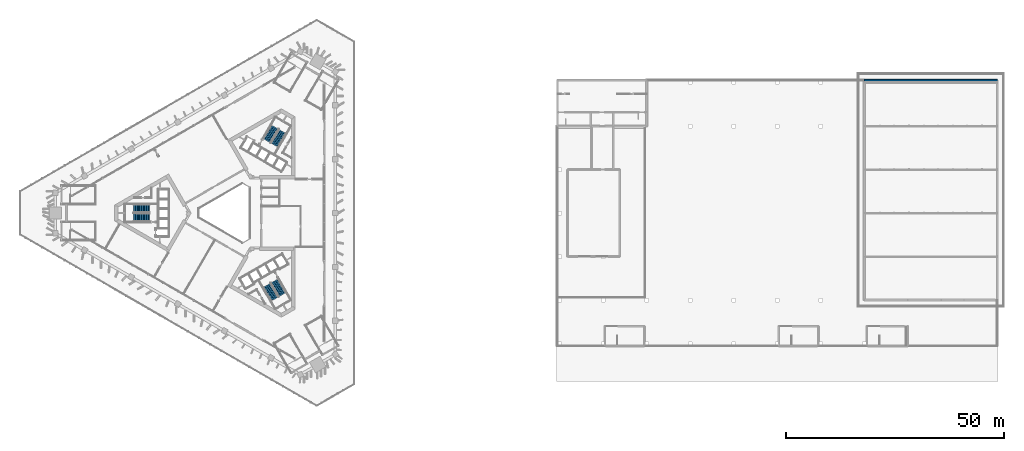
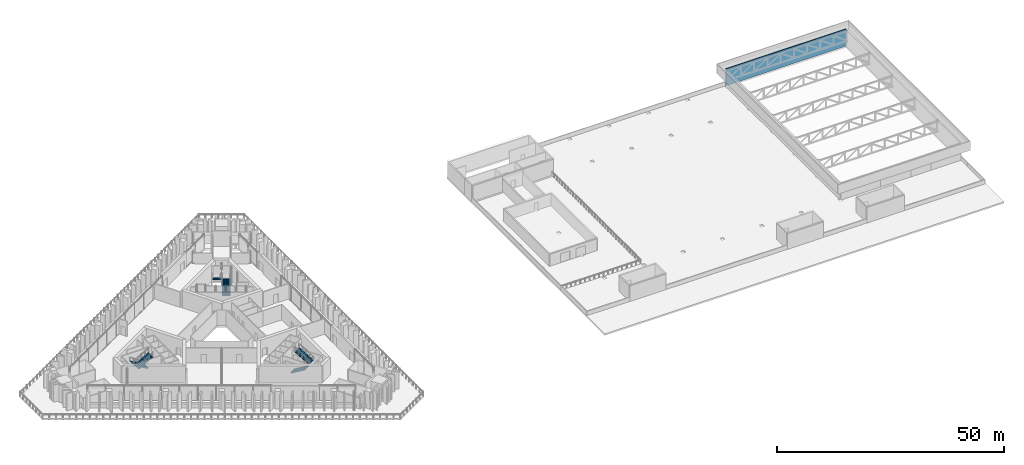
# One storey, part 26 of 31: 6 stair flights, 1 wall, 3 elements without a shape of their own.
"""IFC4 building model written with IfcOpenShell, lengths in metres."""

import ifcopenshell
import ifcopenshell.guid

model = None  # the IFC model being written
_history = None  # IfcOwnerHistory: only IFC2X3 demands one
_inside = {}  # id of a spatial element -> (the spatial element, [elements in it])
_under = {}  # id of a project, library or spatial element -> (it, [spatial elements below it])
_declared = {}  # id of a project -> (the project, [libraries it declares])
_typed = {}  # id of a type object -> (the type object, [elements of that type])
_made_of = {}  # id of a material, layer set ... -> (it, [elements and type objects made of it])


def new_model(schema):
    """Start an empty IFC model of exactly this schema.

    Asked for "IFC4X3", IfcOpenShell would pick the latest addendum, in which some entities
    have other attributes; the version numbers below select the first issue.
    IFC2X3 requires an IfcOwnerHistory on every rooted entity: one is made here for all.
    """
    global model, _history
    if schema == "IFC4X3":
        model = ifcopenshell.file(schema_version=(4, 3, 0, 0))
    else:
        model = ifcopenshell.file(schema=schema)
    _inside.clear()
    _under.clear()
    _declared.clear()
    _typed.clear()
    _made_of.clear()
    _history = None
    if model.schema == "IFC2X3":
        org = make("IfcOrganization", Name="unknown")
        user = make(
            "IfcPersonAndOrganization",
            ThePerson=make("IfcPerson", FamilyName="unknown"),
            TheOrganization=org,
        )
        app = make(
            "IfcApplication",
            ApplicationDeveloper=org,
            Version="unknown",
            ApplicationFullName="unknown",
            ApplicationIdentifier="unknown",
        )
        _history = make(
            "IfcOwnerHistory",
            OwningUser=user,
            OwningApplication=app,
            ChangeAction="ADDED",
            CreationDate=0,
        )
    return model


def make(cls, **values):
    """One entity of the class cls with the attributes given. An attribute that is None is left unset."""
    return model.create_entity(
        cls, **{name: value for name, value in values.items() if value is not None}
    )


def rooted(cls, **values):
    """An entity with a GlobalId (a new one), such as an element, a storey or a relation."""
    return make(cls, GlobalId=ifcopenshell.guid.new(), OwnerHistory=_history, **values)


def si_unit(unit_type, name, prefix=None):
    """IfcSIUnit, for example si_unit("LENGTHUNIT", "METRE", prefix="MILLI")."""
    return make("IfcSIUnit", UnitType=unit_type, Prefix=prefix, Name=name)


def assignment(units):
    """IfcUnitAssignment: the units of a project."""
    return None if units is None else make("IfcUnitAssignment", Units=units)


def point(xyz):
    """IfcCartesianPoint."""
    return None if xyz is None else make("IfcCartesianPoint", Coordinates=xyz)


def direction(xyz):
    """IfcDirection."""
    return None if xyz is None else make("IfcDirection", DirectionRatios=xyz)


def frame(location, z_axis=None, x_axis=None):
    """IfcAxis2Placement3D, a coordinate frame: its origin and axes. An axis left out is left unset."""
    return make(
        "IfcAxis2Placement3D",
        Location=point(location),
        Axis=direction(z_axis),
        RefDirection=direction(x_axis),
    )


def frame_2d(location, x_axis=None):
    """IfcAxis2Placement2D, a coordinate frame in the plane: its origin and x axis."""
    return make(
        "IfcAxis2Placement2D", Location=point(location), RefDirection=direction(x_axis)
    )


def origin():
    """The frame at (0, 0, 0) with its axes left unset."""
    return frame((0.0, 0.0, 0.0))


def place(relative_to, where):
    """IfcLocalPlacement: puts the frame where relative to a parent placement (None: the world)."""
    return make(
        "IfcLocalPlacement", PlacementRelTo=relative_to, RelativePlacement=where
    )


def context(
    kind, dimensions, precision=None, world=None, true_north=None, identifier=None
):
    """IfcGeometricRepresentationContext, for example the 3D "Model" context."""
    return make(
        "IfcGeometricRepresentationContext",
        ContextIdentifier=identifier,
        ContextType=kind,
        CoordinateSpaceDimension=dimensions,
        Precision=precision,
        WorldCoordinateSystem=world,
        TrueNorth=true_north,
    )


def subcontext(parent, identifier, kind, view, scale=None):
    """IfcGeometricRepresentationSubContext, for example "Body" below "Model"."""
    return make(
        "IfcGeometricRepresentationSubContext",
        ContextIdentifier=identifier,
        ContextType=kind,
        ParentContext=parent,
        TargetScale=scale,
        TargetView=view,
    )


def project(units=None, contexts=None):
    """IfcProject with its units and contexts."""
    return rooted(
        "IfcProject",
        Name="project",
        RepresentationContexts=contexts,
        UnitsInContext=assignment(units),
    )


def spatial(cls, under=None, at=None, **own):
    """A site, building, storey or space (cls), placed at a placement, below another one or the project."""
    s = rooted(cls, ObjectPlacement=at, **own)
    if under is not None:
        _under.setdefault(under.id(), (under, []))[1].append(s)
    return s


def polyline(points):
    """IfcPolyline through the points."""
    return make("IfcPolyline", Points=[point(p) for p in points])


def profile(cls, at=None, kind="AREA", **sizes):
    """A parametric profile (cls). Its sizes go by their IFC names, for example OverallWidth=200.0."""
    return make(cls, ProfileType=kind, Position=at, **sizes)


def rectangle(**sizes):
    """IfcRectangleProfileDef."""
    return profile("IfcRectangleProfileDef", **sizes)


def outline(outer, holes=None, kind="AREA"):
    """IfcArbitraryClosedProfileDef: a profile drawn as a closed curve; with holes, ...WithVoids."""
    if holes is None:
        return make("IfcArbitraryClosedProfileDef", ProfileType=kind, OuterCurve=outer)
    return make(
        "IfcArbitraryProfileDefWithVoids",
        ProfileType=kind,
        OuterCurve=outer,
        InnerCurves=holes,
    )


def extrude(swept, where, along, depth):
    """IfcExtrudedAreaSolid: the profile swept, set in the frame where, extruded along a direction by depth."""
    return make(
        "IfcExtrudedAreaSolid",
        SweptArea=swept,
        Position=where,
        ExtrudedDirection=direction(along),
        Depth=depth,
    )


def shape(context_of_items, identifier, shape_type, items):
    """IfcShapeRepresentation: the items that make up one representation, for example the "Body"."""
    return make(
        "IfcShapeRepresentation",
        ContextOfItems=context_of_items,
        RepresentationIdentifier=identifier,
        RepresentationType=shape_type,
        Items=items,
    )


def material(Name=None, Category=None):
    """IfcMaterial."""
    return make("IfcMaterial", Name=Name, Category=Category)


def layer(
    of_material, thickness, ventilated=None, Name=None, Category=None, Priority=None
):
    """IfcMaterialLayer: one layer of a wall or slab, of a material (None: an air gap)."""
    return make(
        "IfcMaterialLayer",
        Material=of_material,
        LayerThickness=thickness,
        IsVentilated=ventilated,
        Name=Name,
        Category=Category,
        Priority=Priority,
    )


def layer_set(layers, Name=None):
    """IfcMaterialLayerSet."""
    return make("IfcMaterialLayerSet", MaterialLayers=layers, LayerSetName=Name)


def made_of(thing, what):
    """Note that an element or type object is made of a material, layer set ...; save() writes the relation."""
    if what is not None:
        _made_of.setdefault(what.id(), (what, []))[1].append(thing)
    return thing


def type_object(cls, material=None, **own):
    """A type object (cls), such as IfcWallType, which elements share."""
    return made_of(rooted(cls, **own), material)


def element(
    cls,
    number,
    at=None,
    inside=None,
    cuts=None,
    type_object=None,
    material=None,
    context=None,
    identifier="Body",
    shape_type=None,
    held_by="IfcProductDefinitionShape",
    body=None,
    shapes=None,
    **own,
):
    """One element of the class cls, such as IfcWall. Its Tag is "e" and its number.

    at: its placement. inside: the storey or other place that contains it. cuts: it is an
    opening in that element (IfcRelVoidsElement). A single representation is given by context,
    identifier, shape_type and body (its items); several are given by shapes. held_by: the class
    of the entity that holds the representations. save() writes the other relations.
    """
    e = rooted(cls, Tag="e%d" % number, ObjectPlacement=at, **own)
    if body is not None:
        shapes = [shape(context, identifier, shape_type, body)]
    if shapes is not None:
        e.Representation = make(held_by, Representations=shapes)
    if inside is not None:
        _inside.setdefault(inside.id(), (inside, []))[1].append(e)
    if cuts is not None:
        rooted(
            "IfcRelVoidsElement", RelatingBuildingElement=cuts, RelatedOpeningElement=e
        )
    if type_object is not None:
        _typed.setdefault(type_object.id(), (type_object, []))[1].append(e)
    return made_of(e, material)


def aggregate(whole, parts):
    """IfcRelAggregates: a whole, such as a stair, and the parts it consists of."""
    return rooted("IfcRelAggregates", RelatingObject=whole, RelatedObjects=parts)


def save(model, path):
    """Write the relations noted so far, then the file.

    IfcRelAggregates (storeys below a building ...), IfcRelContainedInSpatialStructure (elements
    in a storey), IfcRelDefinesByType, IfcRelAssociatesMaterial and IfcRelDeclares: one each for
    every whole, place, type object, material and project.
    """
    for whole, parts in _under.values():
        aggregate(whole, parts)
    for where, things in _inside.values():
        rooted(
            "IfcRelContainedInSpatialStructure",
            RelatedElements=things,
            RelatingStructure=where,
        )
    for kind, things in _typed.values():
        rooted("IfcRelDefinesByType", RelatedObjects=things, RelatingType=kind)
    for what, things in _made_of.values():
        rooted("IfcRelAssociatesMaterial", RelatedObjects=things, RelatingMaterial=what)
    for by, libraries in _declared.values():
        rooted("IfcRelDeclares", RelatingContext=by, RelatedDefinitions=libraries)
    model.write(path)


model = new_model("IFC4")

# Units and contexts
model_context = context("Model", 3, precision=1e-05, world=origin(), true_north=direction((0.0, 1.0)))
body_context = subcontext(model_context, "Body", "Model", "MODEL_VIEW")
ifc_project = project(units=[si_unit("LENGTHUNIT", "METRE"), si_unit("AREAUNIT", "SQUARE_METRE"), si_unit("VOLUMEUNIT", "CUBIC_METRE"), si_unit("PLANEANGLEUNIT", "RADIAN"), si_unit("MASSUNIT", "GRAM", prefix="KILO")], contexts=[model_context])

# Site, building, storey
site_placement = place(None, origin())
site = spatial("IfcSite", under=ifc_project, at=site_placement, CompositionType="ELEMENT")
building_placement = place(site_placement, origin())
building = spatial("IfcBuilding", under=site, at=building_placement, Name="Jabali Bay Hotel Tower and Convention Centre", CompositionType="ELEMENT")
storey_placement = place(building_placement, frame((0.0, 0.0, 25.39990234375)))
storey = spatial("IfcBuildingStorey", under=building, at=storey_placement, Name="L04", CompositionType="ELEMENT", Elevation=25.39990234375)

# Wall
ifc_material = material(Name="Concrete C40", Category="concrete")
ifc_layer = layer(ifc_material, 0.300048828125)
ifc_layer_set = layer_set([ifc_layer], Name="Concrete C40")
wall_type = type_object("IfcWallType", Name="CC External Wall 300", PredefinedType="SOLIDWALL", material=ifc_layer_set)
wall_placement = place(storey_placement, frame((220.699951171875, 110.550048828125, 0.0), z_axis=(0.0, 0.0, 1.0), x_axis=(1.0, 0.0, 0.0)))
element("IfcWall", 1, at=wall_placement, inside=storey, type_object=wall_type, Name="CC plenary clerestory wall", PredefinedType="SOLIDWALL", context=body_context, shape_type="SweptSolid", body=[
    extrude(rectangle(XDim=30.550048828125, YDim=0.300048828125, at=frame_2d((15.27490234375, 0.0))), origin(), (0.0, 0.0, 1.0), 4.5),
])

# Stair, stair flights
stair_type = type_object("IfcStairType", Name="Exit stair 1900", PredefinedType="HALF_TURN_STAIR", material=ifc_material)
stair_1_placement = place(storey_placement, origin())
stair_1 = element("IfcStair", 2, at=stair_1_placement, inside=storey, type_object=stair_type, Name="L04 Exit Stair 1", PredefinedType="HALF_TURN_STAIR")
stair_flight_type = type_object("IfcStairFlightType", Name="Stair flight concrete 150", PredefinedType="STRAIGHT", material=ifc_material)
stair_flight_1_placement = place(storey_placement, frame((56.419921875, 81.02490234375, 0.0), z_axis=(0.0, 0.0, 1.0), x_axis=(-1.0, 0.0, 0.0)))
stair_flight_1 = element("IfcStairFlight", 3, at=stair_flight_1_placement, type_object=stair_flight_type, Name="ST1 flight 1", NumberOfRisers=14, NumberOfTreads=13, PredefinedType="STRAIGHT", RiserHeight=0.164285714, TreadLength=0.28, context=body_context, shape_type="SweptSolid", body=[
    extrude(outline(polyline([(0.0, 0.0), (0.0, 0.164306640625), (0.280029296875, 0.164306640625), (0.280029296875, 0.32861328125), (0.56005859375, 0.32861328125), (0.56005859375, 0.492919921875), (0.840087890625, 0.492919921875), (0.840087890625, 0.6572265625), (1.1201171875, 0.6572265625), (1.1201171875, 0.821533203125), (1.39990234375, 0.821533203125), (1.39990234375, 0.985595703125), (1.679931640625, 0.985595703125), (1.679931640625, 1.14990234375), (1.9599609375, 1.14990234375), (1.9599609375, 1.314208984375), (2.239990234375, 1.314208984375), (2.239990234375, 1.478515625), (2.52001953125, 1.478515625), (2.52001953125, 1.642822265625), (2.800048828125, 1.642822265625), (2.800048828125, 1.80712890625), (3.080078125, 1.80712890625), (3.080078125, 1.971435546875), (3.360107421875, 1.971435546875), (3.360107421875, 2.1357421875), (3.639892578125, 2.1357421875), (3.639892578125, 2.300048828125), (3.639892578125, 1.9619140625), (0.296142578125, 0.0), (0.0, 0.0)])), frame((0.0, 0.949951171875, 0.0), z_axis=(0.0, -1.0, 0.0), x_axis=(1.0, 0.0, 0.0)), (0.0, 0.0, 1.0), 1.89990234375),
])
stair_flight_2_placement = place(storey_placement, frame((52.780029296875, 78.97509765625, 2.300048828125), z_axis=(0.0, 0.0, 1.0), x_axis=(1.0, 0.0, 0.0)))
stair_flight_2 = element("IfcStairFlight", 4, at=stair_flight_2_placement, type_object=stair_flight_type, Name="ST1 flight 2", NumberOfRisers=14, NumberOfTreads=13, PredefinedType="STRAIGHT", RiserHeight=0.164285714, TreadLength=0.28, context=body_context, shape_type="SweptSolid", body=[
    extrude(outline(polyline([(0.0, 0.0), (0.0, 0.164306640625), (0.280029296875, 0.164306640625), (0.280029296875, 0.32861328125), (0.56005859375, 0.32861328125), (0.56005859375, 0.492919921875), (0.840087890625, 0.492919921875), (0.840087890625, 0.6572265625), (1.1201171875, 0.6572265625), (1.1201171875, 0.821533203125), (1.39990234375, 0.821533203125), (1.39990234375, 0.985595703125), (1.679931640625, 0.985595703125), (1.679931640625, 1.14990234375), (1.9599609375, 1.14990234375), (1.9599609375, 1.314208984375), (2.239990234375, 1.314208984375), (2.239990234375, 1.478515625), (2.52001953125, 1.478515625), (2.52001953125, 1.642822265625), (2.800048828125, 1.642822265625), (2.800048828125, 1.80712890625), (3.080078125, 1.80712890625), (3.080078125, 1.971435546875), (3.360107421875, 1.971435546875), (3.360107421875, 2.1357421875), (3.639892578125, 2.1357421875), (3.639892578125, 2.300048828125), (3.639892578125, 1.9619140625), (0.296142578125, 0.0), (0.0, 0.0)])), frame((0.0, 0.949951171875, 0.0), z_axis=(0.0, -1.0, 0.0), x_axis=(1.0, 0.0, 0.0)), (0.0, 0.0, 1.0), 1.89990234375),
])
aggregate(stair_1, [stair_flight_1, stair_flight_2])

stair_2_placement = place(storey_placement, origin())
stair_2 = element("IfcStair", 5, at=stair_2_placement, inside=storey, type_object=stair_type, Name="L04 Exit Stair 2", PredefinedType="HALF_TURN_STAIR")
stair_flight_3_placement = place(storey_placement, frame((85.177734375, 95.578369140625, 0.0), z_axis=(0.0, 0.0, 1.0), x_axis=(0.5, 0.866025403784, 0.0)))
stair_flight_3 = element("IfcStairFlight", 6, at=stair_flight_3_placement, type_object=stair_flight_type, Name="ST2 flight 1", NumberOfRisers=14, NumberOfTreads=13, PredefinedType="STRAIGHT", RiserHeight=0.164285714, TreadLength=0.28, context=body_context, shape_type="SweptSolid", body=[
    extrude(outline(polyline([(0.0, 0.0), (0.0, 0.164306640625), (0.280029296875, 0.164306640625), (0.280029296875, 0.32861328125), (0.56005859375, 0.32861328125), (0.56005859375, 0.492919921875), (0.840087890625, 0.492919921875), (0.840087890625, 0.6572265625), (1.1201171875, 0.6572265625), (1.1201171875, 0.821533203125), (1.39990234375, 0.821533203125), (1.39990234375, 0.985595703125), (1.679931640625, 0.985595703125), (1.679931640625, 1.14990234375), (1.9599609375, 1.14990234375), (1.9599609375, 1.314208984375), (2.239990234375, 1.314208984375), (2.239990234375, 1.478515625), (2.52001953125, 1.478515625), (2.52001953125, 1.642822265625), (2.800048828125, 1.642822265625), (2.800048828125, 1.80712890625), (3.080078125, 1.80712890625), (3.080078125, 1.971435546875), (3.360107421875, 1.971435546875), (3.360107421875, 2.1357421875), (3.639892578125, 2.1357421875), (3.639892578125, 2.300048828125), (3.639892578125, 1.9619140625), (0.296142578125, 0.0), (0.0, 0.0)])), frame((0.0, 0.949951171875, 0.0), z_axis=(0.0, -1.0, 0.0), x_axis=(1.0, 0.0, 0.0)), (0.0, 0.0, 1.0), 1.89990234375),
])
stair_flight_4_placement = place(storey_placement, frame((85.222412109375, 99.755615234375, 2.300048828125), z_axis=(0.0, 0.0, 1.0), x_axis=(-0.5, -0.866025403784, 0.0)))
stair_flight_4 = element("IfcStairFlight", 7, at=stair_flight_4_placement, type_object=stair_flight_type, Name="ST2 flight 2", NumberOfRisers=14, NumberOfTreads=13, PredefinedType="STRAIGHT", RiserHeight=0.164285714, TreadLength=0.28, context=body_context, shape_type="SweptSolid", body=[
    extrude(outline(polyline([(0.0, 0.0), (0.0, 0.164306640625), (0.280029296875, 0.164306640625), (0.280029296875, 0.32861328125), (0.56005859375, 0.32861328125), (0.56005859375, 0.492919921875), (0.840087890625, 0.492919921875), (0.840087890625, 0.6572265625), (1.1201171875, 0.6572265625), (1.1201171875, 0.821533203125), (1.39990234375, 0.821533203125), (1.39990234375, 0.985595703125), (1.679931640625, 0.985595703125), (1.679931640625, 1.14990234375), (1.9599609375, 1.14990234375), (1.9599609375, 1.314208984375), (2.239990234375, 1.314208984375), (2.239990234375, 1.478515625), (2.52001953125, 1.478515625), (2.52001953125, 1.642822265625), (2.800048828125, 1.642822265625), (2.800048828125, 1.80712890625), (3.080078125, 1.80712890625), (3.080078125, 1.971435546875), (3.360107421875, 1.971435546875), (3.360107421875, 2.1357421875), (3.639892578125, 2.1357421875), (3.639892578125, 2.300048828125), (3.639892578125, 1.9619140625), (0.296142578125, 0.0), (0.0, 0.0)])), frame((0.0, 0.949951171875, 0.0), z_axis=(0.0, -1.0, 0.0), x_axis=(1.0, 0.0, 0.0)), (0.0, 0.0, 1.0), 1.89990234375),
])
aggregate(stair_2, [stair_flight_3, stair_flight_4])

stair_3_placement = place(storey_placement, origin())
stair_3 = element("IfcStair", 8, at=stair_3_placement, inside=storey, type_object=stair_type, Name="L04 Exit Stair 3", PredefinedType="HALF_TURN_STAIR")
stair_flight_5_placement = place(storey_placement, frame((83.40234375, 63.396728515625, 0.0), z_axis=(0.0, 0.0, 1.0), x_axis=(0.5, -0.866025403784, 0.0)))
stair_flight_5 = element("IfcStairFlight", 9, at=stair_flight_5_placement, type_object=stair_flight_type, Name="ST3 flight 1", NumberOfRisers=14, NumberOfTreads=13, PredefinedType="STRAIGHT", RiserHeight=0.164285714, TreadLength=0.28, context=body_context, shape_type="SweptSolid", body=[
    extrude(outline(polyline([(0.0, 0.0), (0.0, 0.164306640625), (0.280029296875, 0.164306640625), (0.280029296875, 0.32861328125), (0.56005859375, 0.32861328125), (0.56005859375, 0.492919921875), (0.840087890625, 0.492919921875), (0.840087890625, 0.6572265625), (1.1201171875, 0.6572265625), (1.1201171875, 0.821533203125), (1.39990234375, 0.821533203125), (1.39990234375, 0.985595703125), (1.679931640625, 0.985595703125), (1.679931640625, 1.14990234375), (1.9599609375, 1.14990234375), (1.9599609375, 1.314208984375), (2.239990234375, 1.314208984375), (2.239990234375, 1.478515625), (2.52001953125, 1.478515625), (2.52001953125, 1.642822265625), (2.800048828125, 1.642822265625), (2.800048828125, 1.80712890625), (3.080078125, 1.80712890625), (3.080078125, 1.971435546875), (3.360107421875, 1.971435546875), (3.360107421875, 2.1357421875), (3.639892578125, 2.1357421875), (3.639892578125, 2.300048828125), (3.639892578125, 1.9619140625), (0.296142578125, 0.0), (0.0, 0.0)])), frame((0.0, 0.949951171875, 0.0), z_axis=(0.0, -1.0, 0.0), x_axis=(1.0, 0.0, 0.0)), (0.0, 0.0, 1.0), 1.89990234375),
])
stair_flight_6_placement = place(storey_placement, frame((86.99755859375, 61.26953125, 2.300048828125), z_axis=(0.0, 0.0, 1.0), x_axis=(-0.5, 0.866025403784, 0.0)))
stair_flight_6 = element("IfcStairFlight", 10, at=stair_flight_6_placement, type_object=stair_flight_type, Name="ST3 flight 2", NumberOfRisers=14, NumberOfTreads=13, PredefinedType="STRAIGHT", RiserHeight=0.164285714, TreadLength=0.28, context=body_context, shape_type="SweptSolid", body=[
    extrude(outline(polyline([(0.0, 0.0), (0.0, 0.164306640625), (0.280029296875, 0.164306640625), (0.280029296875, 0.32861328125), (0.56005859375, 0.32861328125), (0.56005859375, 0.492919921875), (0.840087890625, 0.492919921875), (0.840087890625, 0.6572265625), (1.1201171875, 0.6572265625), (1.1201171875, 0.821533203125), (1.39990234375, 0.821533203125), (1.39990234375, 0.985595703125), (1.679931640625, 0.985595703125), (1.679931640625, 1.14990234375), (1.9599609375, 1.14990234375), (1.9599609375, 1.314208984375), (2.239990234375, 1.314208984375), (2.239990234375, 1.478515625), (2.52001953125, 1.478515625), (2.52001953125, 1.642822265625), (2.800048828125, 1.642822265625), (2.800048828125, 1.80712890625), (3.080078125, 1.80712890625), (3.080078125, 1.971435546875), (3.360107421875, 1.971435546875), (3.360107421875, 2.1357421875), (3.639892578125, 2.1357421875), (3.639892578125, 2.300048828125), (3.639892578125, 1.9619140625), (0.296142578125, 0.0), (0.0, 0.0)])), frame((0.0, 0.949951171875, 0.0), z_axis=(0.0, -1.0, 0.0), x_axis=(1.0, 0.0, 0.0)), (0.0, 0.0, 1.0), 1.89990234375),
])
aggregate(stair_3, [stair_flight_5, stair_flight_6])

save(model, "model.ifc")
